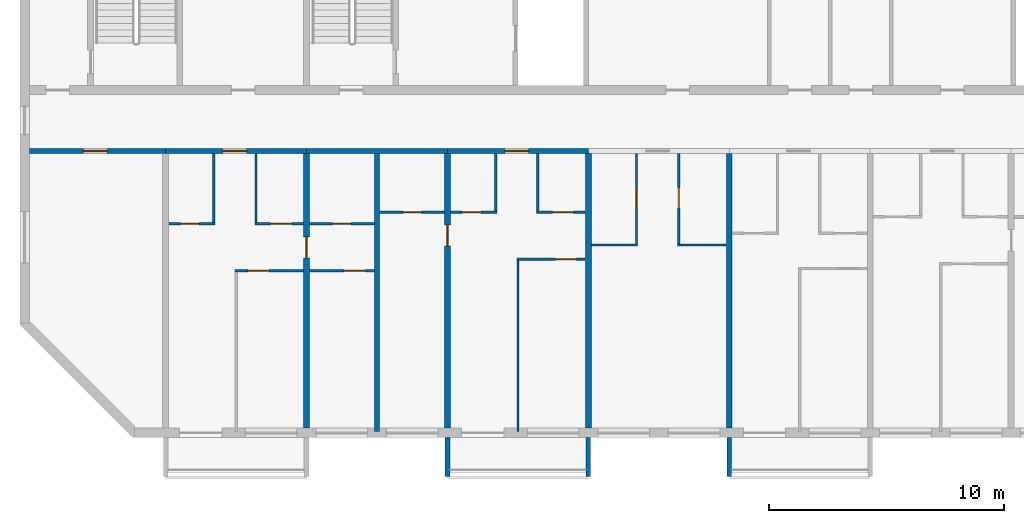
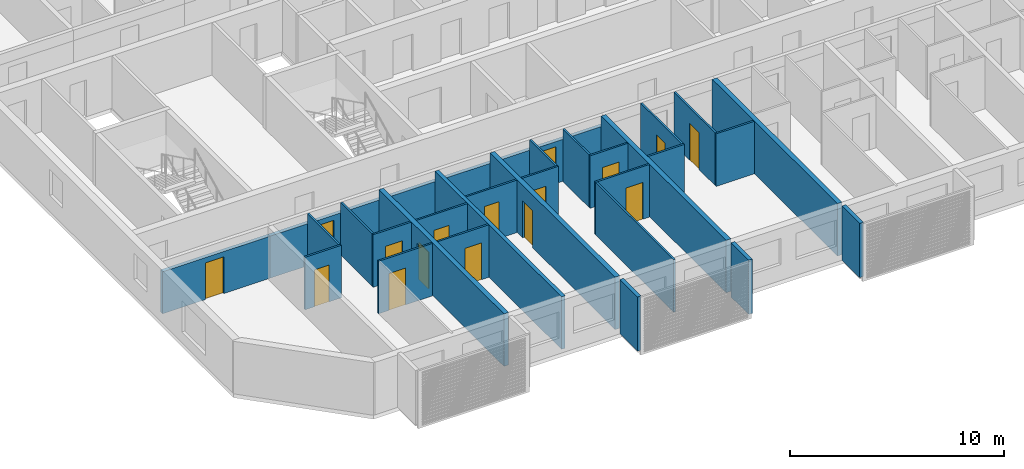
# One storey, part 2 of 27: 30 walls, 16 doors, 16 openings.
"""IFC4 building model written with IfcOpenShell, lengths in metres."""

import ifcopenshell
import ifcopenshell.guid

model = None  # the IFC model being written
_history = None  # IfcOwnerHistory: only IFC2X3 demands one
_inside = {}  # id of a spatial element -> (the spatial element, [elements in it])
_under = {}  # id of a project, library or spatial element -> (it, [spatial elements below it])
_declared = {}  # id of a project -> (the project, [libraries it declares])
_typed = {}  # id of a type object -> (the type object, [elements of that type])
_made_of = {}  # id of a material, layer set ... -> (it, [elements and type objects made of it])


def new_model(schema):
    """Start an empty IFC model of exactly this schema.

    Asked for "IFC4X3", IfcOpenShell would pick the latest addendum, in which some entities
    have other attributes; the version numbers below select the first issue.
    IFC2X3 requires an IfcOwnerHistory on every rooted entity: one is made here for all.
    """
    global model, _history
    if schema == "IFC4X3":
        model = ifcopenshell.file(schema_version=(4, 3, 0, 0))
    else:
        model = ifcopenshell.file(schema=schema)
    _inside.clear()
    _under.clear()
    _declared.clear()
    _typed.clear()
    _made_of.clear()
    _history = None
    if model.schema == "IFC2X3":
        org = make("IfcOrganization", Name="unknown")
        user = make(
            "IfcPersonAndOrganization",
            ThePerson=make("IfcPerson", FamilyName="unknown"),
            TheOrganization=org,
        )
        app = make(
            "IfcApplication",
            ApplicationDeveloper=org,
            Version="unknown",
            ApplicationFullName="unknown",
            ApplicationIdentifier="unknown",
        )
        _history = make(
            "IfcOwnerHistory",
            OwningUser=user,
            OwningApplication=app,
            ChangeAction="ADDED",
            CreationDate=0,
        )
    return model


def make(cls, **values):
    """One entity of the class cls with the attributes given. An attribute that is None is left unset."""
    return model.create_entity(
        cls, **{name: value for name, value in values.items() if value is not None}
    )


def rooted(cls, **values):
    """An entity with a GlobalId (a new one), such as an element, a storey or a relation."""
    return make(cls, GlobalId=ifcopenshell.guid.new(), OwnerHistory=_history, **values)


def si_unit(unit_type, name, prefix=None):
    """IfcSIUnit, for example si_unit("LENGTHUNIT", "METRE", prefix="MILLI")."""
    return make("IfcSIUnit", UnitType=unit_type, Prefix=prefix, Name=name)


def assignment(units):
    """IfcUnitAssignment: the units of a project."""
    return None if units is None else make("IfcUnitAssignment", Units=units)


def point(xyz):
    """IfcCartesianPoint."""
    return None if xyz is None else make("IfcCartesianPoint", Coordinates=xyz)


def direction(xyz):
    """IfcDirection."""
    return None if xyz is None else make("IfcDirection", DirectionRatios=xyz)


def frame(location, z_axis=None, x_axis=None):
    """IfcAxis2Placement3D, a coordinate frame: its origin and axes. An axis left out is left unset."""
    return make(
        "IfcAxis2Placement3D",
        Location=point(location),
        Axis=direction(z_axis),
        RefDirection=direction(x_axis),
    )


def frame_2d(location, x_axis=None):
    """IfcAxis2Placement2D, a coordinate frame in the plane: its origin and x axis."""
    return make(
        "IfcAxis2Placement2D", Location=point(location), RefDirection=direction(x_axis)
    )


def origin():
    """The frame at (0, 0, 0) with its axes left unset."""
    return frame((0.0, 0.0, 0.0))


def place(relative_to, where):
    """IfcLocalPlacement: puts the frame where relative to a parent placement (None: the world)."""
    return make(
        "IfcLocalPlacement", PlacementRelTo=relative_to, RelativePlacement=where
    )


def context(
    kind, dimensions, precision=None, world=None, true_north=None, identifier=None
):
    """IfcGeometricRepresentationContext, for example the 3D "Model" context."""
    return make(
        "IfcGeometricRepresentationContext",
        ContextIdentifier=identifier,
        ContextType=kind,
        CoordinateSpaceDimension=dimensions,
        Precision=precision,
        WorldCoordinateSystem=world,
        TrueNorth=true_north,
    )


def subcontext(parent, identifier, kind, view, scale=None):
    """IfcGeometricRepresentationSubContext, for example "Body" below "Model"."""
    return make(
        "IfcGeometricRepresentationSubContext",
        ContextIdentifier=identifier,
        ContextType=kind,
        ParentContext=parent,
        TargetScale=scale,
        TargetView=view,
    )


def project(units=None, contexts=None):
    """IfcProject with its units and contexts."""
    return rooted(
        "IfcProject",
        Name="project",
        RepresentationContexts=contexts,
        UnitsInContext=assignment(units),
    )


def spatial(cls, under=None, at=None, **own):
    """A site, building, storey or space (cls), placed at a placement, below another one or the project."""
    s = rooted(cls, ObjectPlacement=at, **own)
    if under is not None:
        _under.setdefault(under.id(), (under, []))[1].append(s)
    return s


def polyline(points):
    """IfcPolyline through the points."""
    return make("IfcPolyline", Points=[point(p) for p in points])


def profile(cls, at=None, kind="AREA", **sizes):
    """A parametric profile (cls). Its sizes go by their IFC names, for example OverallWidth=200.0."""
    return make(cls, ProfileType=kind, Position=at, **sizes)


def rectangle(**sizes):
    """IfcRectangleProfileDef."""
    return profile("IfcRectangleProfileDef", **sizes)


def outline(outer, holes=None, kind="AREA"):
    """IfcArbitraryClosedProfileDef: a profile drawn as a closed curve; with holes, ...WithVoids."""
    if holes is None:
        return make("IfcArbitraryClosedProfileDef", ProfileType=kind, OuterCurve=outer)
    return make(
        "IfcArbitraryProfileDefWithVoids",
        ProfileType=kind,
        OuterCurve=outer,
        InnerCurves=holes,
    )


def extrude(swept, where, along, depth):
    """IfcExtrudedAreaSolid: the profile swept, set in the frame where, extruded along a direction by depth."""
    return make(
        "IfcExtrudedAreaSolid",
        SweptArea=swept,
        Position=where,
        ExtrudedDirection=direction(along),
        Depth=depth,
    )


def shape(context_of_items, identifier, shape_type, items):
    """IfcShapeRepresentation: the items that make up one representation, for example the "Body"."""
    return make(
        "IfcShapeRepresentation",
        ContextOfItems=context_of_items,
        RepresentationIdentifier=identifier,
        RepresentationType=shape_type,
        Items=items,
    )


def source(mapping_origin, context_of_items, identifier, shape_type, items):
    """IfcRepresentationMap: a shape defined once, which mapped items show again and again."""
    return make(
        "IfcRepresentationMap",
        MappingOrigin=mapping_origin,
        MappedRepresentation=shape(context_of_items, identifier, shape_type, items),
    )


def transform(
    local_origin,
    x_axis=None,
    y_axis=None,
    z_axis=None,
    scale=None,
    scale2=None,
    scale3=None,
    uniform=True,
):
    """IfcCartesianTransformationOperator3D, or its non-uniform kind. x_axis, y_axis, z_axis: its Axis1, 2, 3."""
    if uniform:
        return make(
            "IfcCartesianTransformationOperator3D",
            Axis1=direction(x_axis),
            Axis2=direction(y_axis),
            LocalOrigin=point(local_origin),
            Scale=scale,
            Axis3=direction(z_axis),
        )
    return make(
        "IfcCartesianTransformationOperator3DnonUniform",
        Axis1=direction(x_axis),
        Axis2=direction(y_axis),
        LocalOrigin=point(local_origin),
        Scale=scale,
        Axis3=direction(z_axis),
        Scale2=scale2,
        Scale3=scale3,
    )


def mapped(mapping_source, mapping_target):
    """IfcMappedItem: shows the shape of a source again, moved by a transform."""
    return make(
        "IfcMappedItem", MappingSource=mapping_source, MappingTarget=mapping_target
    )


def material(Name=None, Category=None):
    """IfcMaterial."""
    return make("IfcMaterial", Name=Name, Category=Category)


def layer(
    of_material, thickness, ventilated=None, Name=None, Category=None, Priority=None
):
    """IfcMaterialLayer: one layer of a wall or slab, of a material (None: an air gap)."""
    return make(
        "IfcMaterialLayer",
        Material=of_material,
        LayerThickness=thickness,
        IsVentilated=ventilated,
        Name=Name,
        Category=Category,
        Priority=Priority,
    )


def layer_set(layers, Name=None):
    """IfcMaterialLayerSet."""
    return make("IfcMaterialLayerSet", MaterialLayers=layers, LayerSetName=Name)


def made_of(thing, what):
    """Note that an element or type object is made of a material, layer set ...; save() writes the relation."""
    if what is not None:
        _made_of.setdefault(what.id(), (what, []))[1].append(thing)
    return thing


def type_object(cls, material=None, **own):
    """A type object (cls), such as IfcWallType, which elements share."""
    return made_of(rooted(cls, **own), material)


def element(
    cls,
    number,
    at=None,
    inside=None,
    cuts=None,
    type_object=None,
    material=None,
    context=None,
    identifier="Body",
    shape_type=None,
    held_by="IfcProductDefinitionShape",
    body=None,
    shapes=None,
    **own,
):
    """One element of the class cls, such as IfcWall. Its Tag is "e" and its number.

    at: its placement. inside: the storey or other place that contains it. cuts: it is an
    opening in that element (IfcRelVoidsElement). A single representation is given by context,
    identifier, shape_type and body (its items); several are given by shapes. held_by: the class
    of the entity that holds the representations. save() writes the other relations.
    """
    e = rooted(cls, Tag="e%d" % number, ObjectPlacement=at, **own)
    if body is not None:
        shapes = [shape(context, identifier, shape_type, body)]
    if shapes is not None:
        e.Representation = make(held_by, Representations=shapes)
    if inside is not None:
        _inside.setdefault(inside.id(), (inside, []))[1].append(e)
    if cuts is not None:
        rooted(
            "IfcRelVoidsElement", RelatingBuildingElement=cuts, RelatedOpeningElement=e
        )
    if type_object is not None:
        _typed.setdefault(type_object.id(), (type_object, []))[1].append(e)
    return made_of(e, material)


def fill(opening, filler):
    """IfcRelFillsElement: the door or window that sits in an opening."""
    return rooted(
        "IfcRelFillsElement",
        RelatingOpeningElement=opening,
        RelatedBuildingElement=filler,
    )


def aggregate(whole, parts):
    """IfcRelAggregates: a whole, such as a stair, and the parts it consists of."""
    return rooted("IfcRelAggregates", RelatingObject=whole, RelatedObjects=parts)


def save(model, path):
    """Write the relations noted so far, then the file.

    IfcRelAggregates (storeys below a building ...), IfcRelContainedInSpatialStructure (elements
    in a storey), IfcRelDefinesByType, IfcRelAssociatesMaterial and IfcRelDeclares: one each for
    every whole, place, type object, material and project.
    """
    for whole, parts in _under.values():
        aggregate(whole, parts)
    for where, things in _inside.values():
        rooted(
            "IfcRelContainedInSpatialStructure",
            RelatedElements=things,
            RelatingStructure=where,
        )
    for kind, things in _typed.values():
        rooted("IfcRelDefinesByType", RelatedObjects=things, RelatingType=kind)
    for what, things in _made_of.values():
        rooted("IfcRelAssociatesMaterial", RelatedObjects=things, RelatingMaterial=what)
    for by, libraries in _declared.values():
        rooted("IfcRelDeclares", RelatingContext=by, RelatedDefinitions=libraries)
    model.write(path)


model = new_model("IFC4")

# Units and contexts
model_context = context("Model", 3, precision=1e-05, world=origin(), true_north=direction((0.0, 1.0)))
body_context = subcontext(model_context, "Body", "Model", "MODEL_VIEW")
ifc_project = project(units=[si_unit("LENGTHUNIT", "METRE"), si_unit("AREAUNIT", "SQUARE_METRE"), si_unit("VOLUMEUNIT", "CUBIC_METRE"), si_unit("PLANEANGLEUNIT", "RADIAN"), si_unit("MASSUNIT", "GRAM", prefix="KILO")], contexts=[model_context])

# Site, building, storey
site_placement = place(None, origin())
site = spatial("IfcSite", under=ifc_project, at=site_placement, CompositionType="ELEMENT")
building_placement = place(site_placement, origin())
building = spatial("IfcBuilding", under=site, at=building_placement, Name="Poui Terraces", CompositionType="ELEMENT")
storey_placement = place(building_placement, frame((0.0, 0.0, 208.199951171875)))
storey = spatial("IfcBuildingStorey", under=building, at=storey_placement, Name="L58", CompositionType="ELEMENT", Elevation=208.199951171875)

# Wall, opening, door
ifc_material_1 = material(Name="Concrete 50 MPa", Category="concrete")
ifc_layer_1 = layer(ifc_material_1, 0.199951171875)
ifc_layer_set_1 = layer_set([ifc_layer_1], Name="Concrete 50 MPa")
wall_type_1 = type_object("IfcWallType", Name="CORRIDOR WALL 200 50MPa", PredefinedType="SHEAR", material=ifc_layer_set_1)
wall_1_placement = place(storey_placement, frame((18.199951171875, 12.0, 0.0), z_axis=(0.0, 0.0, 1.0), x_axis=(1.0, 0.0, 0.0)))
wall_1 = element("IfcWall", 1, at=wall_1_placement, inside=storey, type_object=wall_type_1, Name="CORRIDOR WALL LINE B BAY 1", PredefinedType="SHEAR", context=body_context, shape_type="SweptSolid", body=[
    extrude(rectangle(XDim=5.800048828125, YDim=0.199951171875, at=frame_2d((2.89990234375, 0.0))), origin(), (0.0, 0.0, 1.0), 2.400146484375),
])
opening_1_placement = place(wall_1_placement, frame((2.300048828125, 0.0, 0.0)))
opening_1 = element("IfcOpeningElement", 2, at=opening_1_placement, cuts=wall_1, Name="Opening D100", PredefinedType="OPENING", context=body_context, shape_type="SweptSolid", body=[
    extrude(rectangle(XDim=1.0, YDim=2.10009765625, at=frame_2d((0.5, 1.050048828125))), frame((0.0, 0.10986328125, 0.0), z_axis=(0.0, -1.0, 0.0), x_axis=(1.0, 0.0, 0.0)), (0.0, 0.0, 1.0), 0.219970703125),
])
ifc_material_2 = material(Name="Solid core timber door", Category="wood")
door_type_1 = type_object("IfcDoorType", Name="ACCESSIBLE INTERNAL DOOR 1000 X 2100", OperationType="NOTDEFINED", PredefinedType="DOOR", material=ifc_material_2)
door_1_placement = place(opening_1_placement, frame((1.0, 0.0, 0.0), z_axis=(0.0, 0.0, 1.0), x_axis=(-1.0, 0.0, 0.0)))
door_1 = element("IfcDoor", 3, at=door_1_placement, inside=storey, type_object=door_type_1, Name="ACCESSIBLE INTERNAL DOOR 066", OperationType="SINGLE_SWING_RIGHT", OverallHeight=2.10009765625, OverallWidth=1.0, PredefinedType="DOOR", context=body_context, shape_type="SweptSolid", body=[
    extrude(rectangle(XDim=1.0, YDim=2.10009765625, at=frame_2d((0.5, 1.050048828125))), frame((0.0, 0.02490234375, 0.0), z_axis=(0.0, -1.0, 0.0), x_axis=(1.0, 0.0, 0.0)), (0.0, 0.0, 1.0), 0.050048828125),
])
fill(opening_1, door_1)

wall_2_placement = place(storey_placement, frame((24.0, 12.0, 0.0), z_axis=(0.0, 0.0, 1.0), x_axis=(1.0, 0.0, 0.0)))
wall_2 = element("IfcWall", 4, at=wall_2_placement, inside=storey, type_object=wall_type_1, Name="CORRIDOR WALL LINE B BAY 2", PredefinedType="SHEAR", context=body_context, shape_type="SweptSolid", body=[
    extrude(rectangle(XDim=6.0, YDim=0.199951171875, at=frame_2d((3.0, 0.0))), origin(), (0.0, 0.0, 1.0), 2.400146484375),
])
opening_2_placement = place(wall_2_placement, frame((2.449951171875, 0.0, 0.0)))
opening_2 = element("IfcOpeningElement", 5, at=opening_2_placement, cuts=wall_2, Name="Opening FD30S", PredefinedType="OPENING", context=body_context, shape_type="SweptSolid", body=[
    extrude(rectangle(XDim=1.0, YDim=2.10009765625, at=frame_2d((0.5, 1.050048828125))), frame((0.0, 0.10986328125, 0.0), z_axis=(0.0, -1.0, 0.0), x_axis=(1.0, 0.0, 0.0)), (0.0, 0.0, 1.0), 0.219970703125),
])
ifc_material_3 = material(Name="Steel fire door", Category="steel")
door_type_2 = type_object("IfcDoorType", Name="FLAT ENTRANCE DOOR 1000 X 2100", OperationType="NOTDEFINED", PredefinedType="DOOR", material=ifc_material_3)
door_2_placement = place(opening_2_placement, frame((1.0, 0.0, 0.0), z_axis=(0.0, 0.0, 1.0), x_axis=(-1.0, 0.0, 0.0)))
door_2 = element("IfcDoor", 6, at=door_2_placement, inside=storey, type_object=door_type_2, Name="FLAT ENTRANCE DOOR 070", OperationType="SINGLE_SWING_RIGHT", OverallHeight=2.10009765625, OverallWidth=1.0, PredefinedType="DOOR", context=body_context, shape_type="SweptSolid", body=[
    extrude(rectangle(XDim=1.0, YDim=2.10009765625, at=frame_2d((0.5, 1.050048828125))), frame((0.0, 0.02490234375, 0.0), z_axis=(0.0, -1.0, 0.0), x_axis=(1.0, 0.0, 0.0)), (0.0, 0.0, 1.0), 0.050048828125),
])
fill(opening_2, door_2)

# Wall
wall_3_placement = place(storey_placement, frame((30.0, 12.0, 0.0), z_axis=(0.0, 0.0, 1.0), x_axis=(1.0, 0.0, 0.0)))
element("IfcWall", 7, at=wall_3_placement, inside=storey, type_object=wall_type_1, Name="CORRIDOR WALL LINE B BAY 3", PredefinedType="SHEAR", context=body_context, shape_type="SweptSolid", body=[
    extrude(rectangle(XDim=6.0, YDim=0.199951171875, at=frame_2d((3.0, 0.0))), origin(), (0.0, 0.0, 1.0), 2.400146484375),
])

# Wall, opening, door
wall_4_placement = place(storey_placement, frame((36.0, 12.0, 0.0), z_axis=(0.0, 0.0, 1.0), x_axis=(1.0, 0.0, 0.0)))
wall_4 = element("IfcWall", 8, at=wall_4_placement, inside=storey, type_object=wall_type_1, Name="CORRIDOR WALL LINE B BAY 4", PredefinedType="SHEAR", context=body_context, shape_type="SweptSolid", body=[
    extrude(rectangle(XDim=6.0, YDim=0.199951171875, at=frame_2d((3.0, 0.0))), origin(), (0.0, 0.0, 1.0), 2.400146484375),
])
opening_3_placement = place(wall_4_placement, frame((2.449951171875, 0.0, 0.0)))
opening_3 = element("IfcOpeningElement", 9, at=opening_3_placement, cuts=wall_4, Name="Opening FD30S", PredefinedType="OPENING", context=body_context, shape_type="SweptSolid", body=[
    extrude(rectangle(XDim=1.0, YDim=2.10009765625, at=frame_2d((0.5, 1.050048828125))), frame((0.0, 0.10986328125, 0.0), z_axis=(0.0, -1.0, 0.0), x_axis=(1.0, 0.0, 0.0)), (0.0, 0.0, 1.0), 0.219970703125),
])
door_3_placement = place(opening_3_placement, frame((1.0, 0.0, 0.0), z_axis=(0.0, 0.0, 1.0), x_axis=(-1.0, 0.0, 0.0)))
door_3 = element("IfcDoor", 10, at=door_3_placement, inside=storey, type_object=door_type_2, Name="FLAT ENTRANCE DOOR 077", OperationType="SINGLE_SWING_RIGHT", OverallHeight=2.10009765625, OverallWidth=1.0, PredefinedType="DOOR", context=body_context, shape_type="SweptSolid", body=[
    extrude(rectangle(XDim=1.0, YDim=2.10009765625, at=frame_2d((0.5, 1.050048828125))), frame((0.0, 0.02490234375, 0.0), z_axis=(0.0, -1.0, 0.0), x_axis=(1.0, 0.0, 0.0)), (0.0, 0.0, 1.0), 0.050048828125),
])
fill(opening_3, door_3)

ifc_layer_2 = layer(ifc_material_1, 0.25)
ifc_layer_set_2 = layer_set([ifc_layer_2], Name="Concrete 50 MPa")
wall_type_2 = type_object("IfcWallType", Name="CROSS WALL 250 50MPa", PredefinedType="SHEAR", material=ifc_layer_set_2)
wall_5_placement = place(storey_placement, frame((30.0, 0.199951171875, 0.0), z_axis=(0.0, 0.0, 1.0), x_axis=(0.0, 1.0, 0.0)))
wall_5 = element("IfcWall", 11, at=wall_5_placement, inside=storey, type_object=wall_type_2, Name="CROSS WALL LINE 6 SOUTH", PredefinedType="SHEAR", context=body_context, shape_type="SweptSolid", body=[
    extrude(rectangle(XDim=11.699951171875, YDim=0.25, at=frame_2d((5.85009765625, 0.0))), origin(), (0.0, 0.0, 1.0), 3.0),
])
opening_4_placement = place(wall_5_placement, frame((7.25, 0.0, 0.0)))
opening_4 = element("IfcOpeningElement", 12, at=opening_4_placement, cuts=wall_5, Name="Opening D90", PredefinedType="OPENING", context=body_context, shape_type="SweptSolid", body=[
    extrude(rectangle(XDim=0.89990234375, YDim=2.10009765625, at=frame_2d((0.449951171875, 1.050048828125))), frame((0.0, 0.135009765625, 0.0), z_axis=(0.0, -1.0, 0.0), x_axis=(1.0, 0.0, 0.0)), (0.0, 0.0, 1.0), 0.27001953125),
])
door_type_3 = type_object("IfcDoorType", Name="INTERNAL DOOR 900 X 2100", OperationType="NOTDEFINED", PredefinedType="DOOR", material=ifc_material_2)
door_4_placement = place(opening_4_placement, origin())
door_4 = element("IfcDoor", 13, at=door_4_placement, inside=storey, type_object=door_type_3, Name="INTERNAL DOOR 073", OperationType="SINGLE_SWING_RIGHT", OverallHeight=2.10009765625, OverallWidth=0.89990234375, PredefinedType="DOOR", context=body_context, shape_type="SweptSolid", body=[
    extrude(rectangle(XDim=0.89990234375, YDim=2.10009765625, at=frame_2d((0.449951171875, 1.050048828125))), frame((0.0, 0.02490234375, 0.0), z_axis=(0.0, -1.0, 0.0), x_axis=(1.0, 0.0, 0.0)), (0.0, 0.0, 1.0), 0.050048828125),
])
fill(opening_4, door_4)

wall_6_placement = place(storey_placement, frame((36.0, 0.199951171875, 0.0), z_axis=(0.0, 0.0, 1.0), x_axis=(0.0, 1.0, 0.0)))
wall_6 = element("IfcWall", 14, at=wall_6_placement, inside=storey, type_object=wall_type_2, Name="CROSS WALL LINE 7 SOUTH", PredefinedType="SHEAR", context=body_context, shape_type="SweptSolid", body=[
    extrude(rectangle(XDim=11.699951171875, YDim=0.25, at=frame_2d((5.85009765625, 0.0))), origin(), (0.0, 0.0, 1.0), 3.0),
])
opening_5_placement = place(wall_6_placement, frame((7.75, 0.0, 0.0)))
opening_5 = element("IfcOpeningElement", 15, at=opening_5_placement, cuts=wall_6, Name="Opening D90", PredefinedType="OPENING", context=body_context, shape_type="SweptSolid", body=[
    extrude(rectangle(XDim=0.89990234375, YDim=2.10009765625, at=frame_2d((0.449951171875, 1.050048828125))), frame((0.0, 0.135009765625, 0.0), z_axis=(0.0, -1.0, 0.0), x_axis=(1.0, 0.0, 0.0)), (0.0, 0.0, 1.0), 0.27001953125),
])
door_5_placement = place(opening_5_placement, origin())
door_5 = element("IfcDoor", 16, at=door_5_placement, inside=storey, type_object=door_type_3, Name="INTERNAL DOOR 075", OperationType="SINGLE_SWING_RIGHT", OverallHeight=2.10009765625, OverallWidth=0.89990234375, PredefinedType="DOOR", context=body_context, shape_type="SweptSolid", body=[
    extrude(rectangle(XDim=0.89990234375, YDim=2.10009765625, at=frame_2d((0.449951171875, 1.050048828125))), frame((0.0, 0.02490234375, 0.0), z_axis=(0.0, -1.0, 0.0), x_axis=(1.0, 0.0, 0.0)), (0.0, 0.0, 1.0), 0.050048828125),
])
fill(opening_5, door_5)

# Walls
for number, where, z_axis, x_axis, name in (
    (17, (42.0, 0.199951171875, 0.0), (0.0, 0.0, 1.0), (0.0, 1.0, 0.0), "CROSS WALL LINE 8 SOUTH"),
    (18, (48.0, 0.199951171875, 0.0), (0.0, 0.0, 1.0), (0.0, 1.0, 0.0), "CROSS WALL LINE 9 SOUTH"),
):
    element("IfcWall", number, at=place(storey_placement, frame(where, z_axis=z_axis, x_axis=x_axis)), inside=storey, type_object=wall_type_2, Name=name, PredefinedType="SHEAR", context=body_context, shape_type="SweptSolid", body=[
        extrude(rectangle(XDim=11.699951171875, YDim=0.25, at=frame_2d((5.85009765625, 0.0))), origin(), (0.0, 0.0, 1.0), 3.0),
    ])

# Wall, opening, door
ifc_material_4 = material(Name="Plasterboard partition")
ifc_layer_3 = layer(ifc_material_4, 0.10009765625)
ifc_layer_set_3 = layer_set([ifc_layer_3], Name="Plasterboard partition")
wall_type_3 = type_object("IfcWallType", Name="FLAT PARTITION 100", PredefinedType="PARTITIONING", material=ifc_layer_set_3)
wall_7_placement = place(storey_placement, frame((26.949951171875, 6.89990234375, 0.0), z_axis=(0.0, 0.0, 1.0), x_axis=(1.0, 0.0, 0.0)))
wall_7 = element("IfcWall", 19, at=wall_7_placement, inside=storey, type_object=wall_type_3, Name="FLAT PARTITION 100", PredefinedType="PARTITIONING", context=body_context, shape_type="SweptSolid", body=[
    extrude(rectangle(XDim=2.9150390625, YDim=0.10009765625, at=frame_2d((1.45751953125, 0.0))), origin(), (0.0, 0.0, 1.0), 3.0),
])
opening_6_placement = place(wall_7_placement, frame((0.550048828125, 0.0, 0.0)))
opening_6 = element("IfcOpeningElement", 20, at=opening_6_placement, cuts=wall_7, Name="Opening D90", PredefinedType="OPENING", context=body_context, shape_type="SweptSolid", body=[
    extrude(rectangle(XDim=0.89990234375, YDim=2.10009765625, at=frame_2d((0.449951171875, 1.050048828125))), frame((0.0, 0.06005859375, 0.0), z_axis=(0.0, -1.0, 0.0), x_axis=(1.0, 0.0, 0.0)), (0.0, 0.0, 1.0), 0.1201171875),
])
door_6_placement = place(opening_6_placement, origin())
door_6 = element("IfcDoor", 21, at=door_6_placement, inside=storey, type_object=door_type_3, Name="INTERNAL DOOR 071", OperationType="SINGLE_SWING_RIGHT", OverallHeight=2.10009765625, OverallWidth=0.89990234375, PredefinedType="DOOR", context=body_context, shape_type="SweptSolid", body=[
    extrude(rectangle(XDim=0.89990234375, YDim=2.10009765625, at=frame_2d((0.449951171875, 1.050048828125))), frame((0.0, 0.02490234375, 0.0), z_axis=(0.0, -1.0, 0.0), x_axis=(1.0, 0.0, 0.0)), (0.0, 0.0, 1.0), 0.050048828125),
])
fill(opening_6, door_6)

wall_8_placement = place(storey_placement, frame((30.135009765625, 6.89990234375, 0.0), z_axis=(0.0, 0.0, 1.0), x_axis=(1.0, 0.0, 0.0)))
wall_8 = element("IfcWall", 22, at=wall_8_placement, inside=storey, type_object=wall_type_3, Name="FLAT PARTITION 100", PredefinedType="PARTITIONING", context=body_context, shape_type="SweptSolid", body=[
    extrude(rectangle(XDim=2.764892578125, YDim=0.10009765625, at=frame_2d((1.38232421875, 0.0))), origin(), (0.0, 0.0, 1.0), 3.0),
])
opening_7_placement = place(wall_8_placement, frame((1.465087890625, 0.0, 0.0)))
opening_7 = element("IfcOpeningElement", 23, at=opening_7_placement, cuts=wall_8, Name="Opening D90", PredefinedType="OPENING", context=body_context, shape_type="SweptSolid", body=[
    extrude(rectangle(XDim=0.89990234375, YDim=2.10009765625, at=frame_2d((0.449951171875, 1.050048828125))), frame((0.0, 0.06005859375, 0.0), z_axis=(0.0, -1.0, 0.0), x_axis=(1.0, 0.0, 0.0)), (0.0, 0.0, 1.0), 0.1201171875),
])
door_7_placement = place(opening_7_placement, frame((0.89990234375, 0.0, 0.0), z_axis=(0.0, 0.0, 1.0), x_axis=(-1.0, 0.0, 0.0)))
door_7 = element("IfcDoor", 24, at=door_7_placement, inside=storey, type_object=door_type_3, Name="INTERNAL DOOR 068", OperationType="SINGLE_SWING_LEFT", OverallHeight=2.10009765625, OverallWidth=0.89990234375, PredefinedType="DOOR", context=body_context, shape_type="SweptSolid", body=[
    extrude(rectangle(XDim=0.89990234375, YDim=2.10009765625, at=frame_2d((0.449951171875, 1.050048828125))), frame((0.0, 0.02490234375, 0.0), z_axis=(0.0, -1.0, 0.0), x_axis=(1.0, 0.0, 0.0)), (0.0, 0.0, 1.0), 0.050048828125),
])
fill(opening_7, door_7)

wall_9_placement = place(storey_placement, frame((38.949951171875, 7.39990234375, 0.0), z_axis=(0.0, 0.0, 1.0), x_axis=(1.0, 0.0, 0.0)))
wall_9 = element("IfcWall", 25, at=wall_9_placement, inside=storey, type_object=wall_type_3, Name="FLAT PARTITION 100", PredefinedType="PARTITIONING", context=body_context, shape_type="SweptSolid", body=[
    extrude(rectangle(XDim=2.9150390625, YDim=0.10009765625, at=frame_2d((1.45751953125, 0.0))), origin(), (0.0, 0.0, 1.0), 3.0),
])
opening_8_placement = place(wall_9_placement, frame((1.64990234375, 0.0, 0.0)))
opening_8 = element("IfcOpeningElement", 26, at=opening_8_placement, cuts=wall_9, Name="Opening D90", PredefinedType="OPENING", context=body_context, shape_type="SweptSolid", body=[
    extrude(rectangle(XDim=0.89990234375, YDim=2.10009765625, at=frame_2d((0.449951171875, 1.050048828125))), frame((0.0, 0.06005859375, 0.0), z_axis=(0.0, -1.0, 0.0), x_axis=(1.0, 0.0, 0.0)), (0.0, 0.0, 1.0), 0.1201171875),
])
door_8_placement = place(opening_8_placement, origin())
door_8 = element("IfcDoor", 27, at=door_8_placement, inside=storey, type_object=door_type_3, Name="INTERNAL DOOR 079", OperationType="SINGLE_SWING_LEFT", OverallHeight=2.10009765625, OverallWidth=0.89990234375, PredefinedType="DOOR", context=body_context, shape_type="SweptSolid", body=[
    extrude(rectangle(XDim=0.89990234375, YDim=2.10009765625, at=frame_2d((0.449951171875, 1.050048828125))), frame((0.0, 0.02490234375, 0.0), z_axis=(0.0, -1.0, 0.0), x_axis=(1.0, 0.0, 0.0)), (0.0, 0.0, 1.0), 0.050048828125),
])
fill(opening_8, door_8)

# Walls
wall_10_placement = place(storey_placement, frame((42.135009765625, 8.0, 0.0), z_axis=(0.0, 0.0, 1.0), x_axis=(1.0, 0.0, 0.0)))
element("IfcWall", 28, at=wall_10_placement, inside=storey, type_object=wall_type_3, Name="FLAT PARTITION 100", PredefinedType="PARTITIONING", context=body_context, shape_type="SweptSolid", body=[
    extrude(rectangle(XDim=1.965087890625, YDim=0.10009765625, at=frame_2d((0.982421875, 0.0))), origin(), (0.0, 0.0, 1.0), 3.0),
])
wall_11_placement = place(storey_placement, frame((45.800048828125, 8.0, 0.0), z_axis=(0.0, 0.0, 1.0), x_axis=(1.0, 0.0, 0.0)))
element("IfcWall", 29, at=wall_11_placement, inside=storey, type_object=wall_type_3, Name="FLAT PARTITION 100", PredefinedType="PARTITIONING", context=body_context, shape_type="SweptSolid", body=[
    extrude(rectangle(XDim=2.06494140625, YDim=0.10009765625, at=frame_2d((1.032470703125, 0.0))), origin(), (0.0, 0.0, 1.0), 3.0),
])

# Wall, opening, door
wall_12_placement = place(storey_placement, frame((24.135009765625, 8.89990234375, 0.0), z_axis=(0.0, 0.0, 1.0), x_axis=(1.0, 0.0, 0.0)))
wall_12 = element("IfcWall", 30, at=wall_12_placement, inside=storey, type_object=wall_type_3, Name="FLAT PARTITION 100", PredefinedType="PARTITIONING", context=body_context, shape_type="SweptSolid", body=[
    extrude(rectangle(XDim=1.965087890625, YDim=0.10009765625, at=frame_2d((0.982421875, 0.0))), origin(), (0.0, 0.0, 1.0), 3.0),
])
opening_9_placement = place(wall_12_placement, frame((0.489990234375, 0.0, 0.0)))
opening_9 = element("IfcOpeningElement", 31, at=opening_9_placement, cuts=wall_12, Name="Opening D80", PredefinedType="OPENING", context=body_context, shape_type="SweptSolid", body=[
    extrude(rectangle(XDim=0.800048828125, YDim=2.10009765625, at=frame_2d((0.39990234375, 1.050048828125))), frame((0.0, 0.06005859375, 0.0), z_axis=(0.0, -1.0, 0.0), x_axis=(1.0, 0.0, 0.0)), (0.0, 0.0, 1.0), 0.1201171875),
])
door_type_4 = type_object("IfcDoorType", Name="BATHROOM, LAUNDRY AND STORE DOOR 800 X 2100", OperationType="NOTDEFINED", PredefinedType="DOOR", material=ifc_material_2)
door_9_placement = place(opening_9_placement, origin())
door_9 = element("IfcDoor", 32, at=door_9_placement, inside=storey, type_object=door_type_4, Name="BATHROOM, LAUNDRY AND STORE DOOR 069", OperationType="SINGLE_SWING_RIGHT", OverallHeight=2.10009765625, OverallWidth=0.800048828125, PredefinedType="DOOR", context=body_context, shape_type="SweptSolid", body=[
    extrude(rectangle(XDim=0.800048828125, YDim=2.10009765625, at=frame_2d((0.39990234375, 1.050048828125))), frame((0.0, 0.02490234375, 0.0), z_axis=(0.0, -1.0, 0.0), x_axis=(1.0, 0.0, 0.0)), (0.0, 0.0, 1.0), 0.050048828125),
])
fill(opening_9, door_9)

wall_13_placement = place(storey_placement, frame((27.800048828125, 8.89990234375, 0.0), z_axis=(0.0, 0.0, 1.0), x_axis=(1.0, 0.0, 0.0)))
wall_13 = element("IfcWall", 33, at=wall_13_placement, inside=storey, type_object=wall_type_3, Name="FLAT PARTITION 100", PredefinedType="PARTITIONING", context=body_context, shape_type="SweptSolid", body=[
    extrude(rectangle(XDim=2.06494140625, YDim=0.10009765625, at=frame_2d((1.032470703125, 0.0))), origin(), (0.0, 0.0, 1.0), 3.0),
])
opening_10_placement = place(wall_13_placement, frame((0.675048828125, 0.0, 0.0)))
opening_10 = element("IfcOpeningElement", 34, at=opening_10_placement, cuts=wall_13, Name="Opening D90", PredefinedType="OPENING", context=body_context, shape_type="SweptSolid", body=[
    extrude(rectangle(XDim=0.89990234375, YDim=2.10009765625, at=frame_2d((0.449951171875, 1.050048828125))), frame((0.0, 0.06005859375, 0.0), z_axis=(0.0, -1.0, 0.0), x_axis=(1.0, 0.0, 0.0)), (0.0, 0.0, 1.0), 0.1201171875),
])
door_10_placement = place(opening_10_placement, origin())
door_10 = element("IfcDoor", 35, at=door_10_placement, inside=storey, type_object=door_type_3, Name="INTERNAL DOOR 072", OperationType="SINGLE_SWING_LEFT", OverallHeight=2.10009765625, OverallWidth=0.89990234375, PredefinedType="DOOR", context=body_context, shape_type="SweptSolid", body=[
    extrude(rectangle(XDim=0.89990234375, YDim=2.10009765625, at=frame_2d((0.449951171875, 1.050048828125))), frame((0.0, 0.02490234375, 0.0), z_axis=(0.0, -1.0, 0.0), x_axis=(1.0, 0.0, 0.0)), (0.0, 0.0, 1.0), 0.050048828125),
])
fill(opening_10, door_10)

wall_14_placement = place(storey_placement, frame((30.135009765625, 8.89990234375, 0.0), z_axis=(0.0, 0.0, 1.0), x_axis=(1.0, 0.0, 0.0)))
wall_14 = element("IfcWall", 36, at=wall_14_placement, inside=storey, type_object=wall_type_3, Name="FLAT PARTITION 100", PredefinedType="PARTITIONING", context=body_context, shape_type="SweptSolid", body=[
    extrude(rectangle(XDim=2.764892578125, YDim=0.10009765625, at=frame_2d((1.38232421875, 0.0))), origin(), (0.0, 0.0, 1.0), 3.0),
])
opening_11_placement = place(wall_14_placement, frame((0.965087890625, 0.0, 0.0)))
opening_11 = element("IfcOpeningElement", 37, at=opening_11_placement, cuts=wall_14, Name="Opening D80", PredefinedType="OPENING", context=body_context, shape_type="SweptSolid", body=[
    extrude(rectangle(XDim=0.800048828125, YDim=2.10009765625, at=frame_2d((0.39990234375, 1.050048828125))), frame((0.0, 0.06005859375, 0.0), z_axis=(0.0, -1.0, 0.0), x_axis=(1.0, 0.0, 0.0)), (0.0, 0.0, 1.0), 0.1201171875),
])
door_11_placement = place(opening_11_placement, origin())
door_11 = element("IfcDoor", 38, at=door_11_placement, inside=storey, type_object=door_type_4, Name="BATHROOM, LAUNDRY AND STORE DOOR 067", OperationType="SINGLE_SWING_LEFT", OverallHeight=2.10009765625, OverallWidth=0.800048828125, PredefinedType="DOOR", context=body_context, shape_type="SweptSolid", body=[
    extrude(rectangle(XDim=0.800048828125, YDim=2.10009765625, at=frame_2d((0.39990234375, 1.050048828125))), frame((0.0, 0.02490234375, 0.0), z_axis=(0.0, -1.0, 0.0), x_axis=(1.0, 0.0, 0.0)), (0.0, 0.0, 1.0), 0.050048828125),
])
fill(opening_11, door_11)

wall_15_placement = place(storey_placement, frame((33.10009765625, 9.39990234375, 0.0), z_axis=(0.0, 0.0, 1.0), x_axis=(1.0, 0.0, 0.0)))
wall_15 = element("IfcWall", 39, at=wall_15_placement, inside=storey, type_object=wall_type_3, Name="FLAT PARTITION 100", PredefinedType="PARTITIONING", context=body_context, shape_type="SweptSolid", body=[
    extrude(rectangle(XDim=2.764892578125, YDim=0.10009765625, at=frame_2d((1.38232421875, 0.0))), origin(), (0.0, 0.0, 1.0), 3.0),
])
opening_12_placement = place(wall_15_placement, frame((1.0, 0.0, 0.0)))
opening_12 = element("IfcOpeningElement", 40, at=opening_12_placement, cuts=wall_15, Name="Opening D80", PredefinedType="OPENING", context=body_context, shape_type="SweptSolid", body=[
    extrude(rectangle(XDim=0.800048828125, YDim=2.10009765625, at=frame_2d((0.39990234375, 1.050048828125))), frame((0.0, 0.06005859375, 0.0), z_axis=(0.0, -1.0, 0.0), x_axis=(1.0, 0.0, 0.0)), (0.0, 0.0, 1.0), 0.1201171875),
])
door_12_placement = place(opening_12_placement, origin())
door_12 = element("IfcDoor", 41, at=door_12_placement, inside=storey, type_object=door_type_4, Name="BATHROOM, LAUNDRY AND STORE DOOR 074", OperationType="SINGLE_SWING_LEFT", OverallHeight=2.10009765625, OverallWidth=0.800048828125, PredefinedType="DOOR", context=body_context, shape_type="SweptSolid", body=[
    extrude(rectangle(XDim=0.800048828125, YDim=2.10009765625, at=frame_2d((0.39990234375, 1.050048828125))), frame((0.0, 0.02490234375, 0.0), z_axis=(0.0, -1.0, 0.0), x_axis=(1.0, 0.0, 0.0)), (0.0, 0.0, 1.0), 0.050048828125),
])
fill(opening_12, door_12)

wall_16_placement = place(storey_placement, frame((36.135009765625, 9.39990234375, 0.0), z_axis=(0.0, 0.0, 1.0), x_axis=(1.0, 0.0, 0.0)))
wall_16 = element("IfcWall", 42, at=wall_16_placement, inside=storey, type_object=wall_type_3, Name="FLAT PARTITION 100", PredefinedType="PARTITIONING", context=body_context, shape_type="SweptSolid", body=[
    extrude(rectangle(XDim=1.965087890625, YDim=0.10009765625, at=frame_2d((0.982421875, 0.0))), origin(), (0.0, 0.0, 1.0), 3.0),
])
opening_13_placement = place(wall_16_placement, frame((0.489990234375, 0.0, 0.0)))
opening_13 = element("IfcOpeningElement", 43, at=opening_13_placement, cuts=wall_16, Name="Opening D80", PredefinedType="OPENING", context=body_context, shape_type="SweptSolid", body=[
    extrude(rectangle(XDim=0.800048828125, YDim=2.10009765625, at=frame_2d((0.39990234375, 1.050048828125))), frame((0.0, 0.06005859375, 0.0), z_axis=(0.0, -1.0, 0.0), x_axis=(1.0, 0.0, 0.0)), (0.0, 0.0, 1.0), 0.1201171875),
])
door_13_placement = place(opening_13_placement, origin())
door_13 = element("IfcDoor", 44, at=door_13_placement, inside=storey, type_object=door_type_4, Name="BATHROOM, LAUNDRY AND STORE DOOR 076", OperationType="SINGLE_SWING_LEFT", OverallHeight=2.10009765625, OverallWidth=0.800048828125, PredefinedType="DOOR", context=body_context, shape_type="SweptSolid", body=[
    extrude(rectangle(XDim=0.800048828125, YDim=2.10009765625, at=frame_2d((0.39990234375, 1.050048828125))), frame((0.0, 0.02490234375, 0.0), z_axis=(0.0, -1.0, 0.0), x_axis=(1.0, 0.0, 0.0)), (0.0, 0.0, 1.0), 0.050048828125),
])
fill(opening_13, door_13)

wall_17_placement = place(storey_placement, frame((39.800048828125, 9.39990234375, 0.0), z_axis=(0.0, 0.0, 1.0), x_axis=(1.0, 0.0, 0.0)))
wall_17 = element("IfcWall", 45, at=wall_17_placement, inside=storey, type_object=wall_type_3, Name="FLAT PARTITION 100", PredefinedType="PARTITIONING", context=body_context, shape_type="SweptSolid", body=[
    extrude(rectangle(XDim=2.06494140625, YDim=0.10009765625, at=frame_2d((1.032470703125, 0.0))), origin(), (0.0, 0.0, 1.0), 3.0),
])
opening_14_placement = place(wall_17_placement, frame((0.675048828125, 0.0, 0.0)))
opening_14 = element("IfcOpeningElement", 46, at=opening_14_placement, cuts=wall_17, Name="Opening D90", PredefinedType="OPENING", context=body_context, shape_type="SweptSolid", body=[
    extrude(rectangle(XDim=0.89990234375, YDim=2.10009765625, at=frame_2d((0.449951171875, 1.050048828125))), frame((0.0, 0.06005859375, 0.0), z_axis=(0.0, -1.0, 0.0), x_axis=(1.0, 0.0, 0.0)), (0.0, 0.0, 1.0), 0.1201171875),
])
door_14_placement = place(opening_14_placement, origin())
door_14 = element("IfcDoor", 47, at=door_14_placement, inside=storey, type_object=door_type_3, Name="INTERNAL DOOR 078", OperationType="SINGLE_SWING_RIGHT", OverallHeight=2.10009765625, OverallWidth=0.89990234375, PredefinedType="DOOR", context=body_context, shape_type="SweptSolid", body=[
    extrude(rectangle(XDim=0.89990234375, YDim=2.10009765625, at=frame_2d((0.449951171875, 1.050048828125))), frame((0.0, 0.02490234375, 0.0), z_axis=(0.0, -1.0, 0.0), x_axis=(1.0, 0.0, 0.0)), (0.0, 0.0, 1.0), 0.050048828125),
])
fill(opening_14, door_14)

# Walls
for number, where, z_axis, x_axis, name in (
    (48, (26.050048828125, 8.949951171875, 0.0), (0.0, 0.0, 1.0), (0.0, 1.0, 0.0), "FLAT PARTITION 100"),
    (49, (27.85009765625, 8.949951171875, 0.0), (0.0, 0.0, 1.0), (0.0, 1.0, 0.0), "FLAT PARTITION 100"),
):
    element("IfcWall", number, at=place(storey_placement, frame(where, z_axis=z_axis, x_axis=x_axis)), inside=storey, type_object=wall_type_3, Name=name, PredefinedType="PARTITIONING", context=body_context, shape_type="SweptSolid", body=[
        extrude(rectangle(XDim=2.93994140625, YDim=0.10009765625, at=frame_2d((1.469970703125, 0.0))), origin(), (0.0, 0.0, 1.0), 3.0),
    ])
wall_18_placement = place(storey_placement, frame((38.050048828125, 9.449951171875, 0.0), z_axis=(0.0, 0.0, 1.0), x_axis=(0.0, 1.0, 0.0)))
element("IfcWall", 50, at=wall_18_placement, inside=storey, type_object=wall_type_3, Name="FLAT PARTITION 100", PredefinedType="PARTITIONING", context=body_context, shape_type="SweptSolid", body=[
    extrude(rectangle(XDim=2.43994140625, YDim=0.10009765625, at=frame_2d((1.219970703125, 0.0))), origin(), (0.0, 0.0, 1.0), 3.0),
])
wall_19_placement = place(storey_placement, frame((39.0, 0.06005859375, 0.0), z_axis=(0.0, 0.0, 1.0), x_axis=(0.0, 1.0, 0.0)))
element("IfcWall", 51, at=wall_19_placement, inside=storey, type_object=wall_type_3, Name="FLAT PARTITION 100", PredefinedType="PARTITIONING", context=body_context, shape_type="SweptSolid", body=[
    extrude(rectangle(XDim=7.2900390625, YDim=0.10009765625, at=frame_2d((3.64501953125, 0.0))), origin(), (0.0, 0.0, 1.0), 3.0),
])
wall_20_placement = place(storey_placement, frame((39.85009765625, 9.449951171875, 0.0), z_axis=(0.0, 0.0, 1.0), x_axis=(0.0, 1.0, 0.0)))
element("IfcWall", 52, at=wall_20_placement, inside=storey, type_object=wall_type_3, Name="FLAT PARTITION 100", PredefinedType="PARTITIONING", context=body_context, shape_type="SweptSolid", body=[
    extrude(rectangle(XDim=2.43994140625, YDim=0.10009765625, at=frame_2d((1.219970703125, 0.0))), origin(), (0.0, 0.0, 1.0), 3.0),
])

# Wall, opening, door
wall_21_placement = place(storey_placement, frame((44.050048828125, 8.050048828125, 0.0), z_axis=(0.0, 0.0, 1.0), x_axis=(0.0, 1.0, 0.0)))
wall_21 = element("IfcWall", 53, at=wall_21_placement, inside=storey, type_object=wall_type_3, Name="FLAT PARTITION 100", PredefinedType="PARTITIONING", context=body_context, shape_type="SweptSolid", body=[
    extrude(rectangle(XDim=3.83984375, YDim=0.10009765625, at=frame_2d((1.919921875, 0.0))), origin(), (0.0, 0.0, 1.0), 3.0),
])
opening_15_placement = place(wall_21_placement, frame((1.550048828125, 0.0, 0.0)))
opening_15 = element("IfcOpeningElement", 54, at=opening_15_placement, cuts=wall_21, Name="Opening D80", PredefinedType="OPENING", context=body_context, shape_type="SweptSolid", body=[
    extrude(rectangle(XDim=0.800048828125, YDim=2.10009765625, at=frame_2d((0.39990234375, 1.050048828125))), frame((0.0, 0.06005859375, 0.0), z_axis=(0.0, -1.0, 0.0), x_axis=(1.0, 0.0, 0.0)), (0.0, 0.0, 1.0), 0.1201171875),
])
door_15_placement = place(opening_15_placement, origin())
door_15 = element("IfcDoor", 55, at=door_15_placement, inside=storey, type_object=door_type_4, Name="BATHROOM, LAUNDRY AND STORE DOOR 080", OperationType="SINGLE_SWING_LEFT", OverallHeight=2.10009765625, OverallWidth=0.800048828125, PredefinedType="DOOR", context=body_context, shape_type="SweptSolid", body=[
    extrude(rectangle(XDim=0.800048828125, YDim=2.10009765625, at=frame_2d((0.39990234375, 1.050048828125))), frame((0.0, 0.02490234375, 0.0), z_axis=(0.0, -1.0, 0.0), x_axis=(1.0, 0.0, 0.0)), (0.0, 0.0, 1.0), 0.050048828125),
])
fill(opening_15, door_15)

wall_22_placement = place(storey_placement, frame((45.85009765625, 8.050048828125, 0.0), z_axis=(0.0, 0.0, 1.0), x_axis=(0.0, 1.0, 0.0)))
wall_22 = element("IfcWall", 56, at=wall_22_placement, inside=storey, type_object=wall_type_3, Name="FLAT PARTITION 100", PredefinedType="PARTITIONING", context=body_context, shape_type="SweptSolid", body=[
    extrude(rectangle(XDim=3.83984375, YDim=0.10009765625, at=frame_2d((1.919921875, 0.0))), origin(), (0.0, 0.0, 1.0), 3.0),
])
opening_16_placement = place(wall_22_placement, frame((1.5, 0.0, 0.0)))
opening_16 = element("IfcOpeningElement", 57, at=opening_16_placement, cuts=wall_22, Name="Opening D90", PredefinedType="OPENING", context=body_context, shape_type="SweptSolid", body=[
    extrude(rectangle(XDim=0.89990234375, YDim=2.10009765625, at=frame_2d((0.449951171875, 1.050048828125))), frame((0.0, 0.06005859375, 0.0), z_axis=(0.0, -1.0, 0.0), x_axis=(1.0, 0.0, 0.0)), (0.0, 0.0, 1.0), 0.1201171875),
])
door_16_placement = place(opening_16_placement, frame((0.89990234375, 0.0, 0.0), z_axis=(0.0, 0.0, 1.0), x_axis=(-1.0, 0.0, 0.0)))
door_16 = element("IfcDoor", 58, at=door_16_placement, inside=storey, type_object=door_type_3, Name="INTERNAL DOOR 082", OperationType="SINGLE_SWING_LEFT", OverallHeight=2.10009765625, OverallWidth=0.89990234375, PredefinedType="DOOR", context=body_context, shape_type="SweptSolid", body=[
    extrude(rectangle(XDim=0.89990234375, YDim=2.10009765625, at=frame_2d((0.449951171875, 1.050048828125))), frame((0.0, 0.02490234375, 0.0), z_axis=(0.0, -1.0, 0.0), x_axis=(1.0, 0.0, 0.0)), (0.0, 0.0, 1.0), 0.050048828125),
])
fill(opening_16, door_16)

# Walls
ifc_material_5 = material(Name="Fire-rated masonry wall", Category="masonry")
ifc_layer_4 = layer(ifc_material_5, 0.199951171875)
ifc_layer_set_4 = layer_set([ifc_layer_4], Name="Fire-rated masonry wall")
wall_type_4 = type_object("IfcWallType", Name="FLAT PARTY WALL 200", PredefinedType="PARTITIONING", material=ifc_layer_set_4)
wall_23_placement = place(storey_placement, frame((33.0, 0.06005859375, 0.0), z_axis=(0.0, 0.0, 1.0), x_axis=(0.0, 1.0, 0.0)))
element("IfcWall", 59, at=wall_23_placement, inside=storey, type_object=wall_type_4, Name="FLAT PARTY WALL 200", PredefinedType="PARTITIONING", context=body_context, shape_type="SweptSolid", body=[
    extrude(rectangle(XDim=11.829833984375, YDim=0.199951171875, at=frame_2d((5.9150390625, 0.0))), origin(), (0.0, 0.0, 1.0), 3.0),
])
ifc_material_6 = material(Name="Precast concrete 40 MPa", Category="concrete")
ifc_layer_5 = layer(ifc_material_6, 0.199951171875)
ifc_layer_set_5 = layer_set([ifc_layer_5], Name="Precast concrete 40 MPa")
wall_type_5 = type_object("IfcWallType", Name="REAR FIN 200", PredefinedType="STANDARD", material=ifc_layer_set_5)
shared_shape = source(origin(), body_context, "Body", "SweptSolid", [
    extrude(outline(polyline([(0.0, 0.0), (0.2001953125, 0.0), (0.2001953125, 1.650146484375), (0.0, 1.650146484375), (0.0, 0.0)])), origin(), (0.0, 0.0, 1.0), 3.10009765625),
])
for number, where, name in (
    (60, (35.89990234375, -1.85009765625, 0.0), "REAR FIN"),
    (61, (41.89990234375, -1.85009765625, 0.0), "REAR FIN"),
    (62, (47.89990234375, -1.85009765625, 0.0), "REAR FIN"),
):
    element("IfcWall", number, at=place(storey_placement, frame(where)), inside=storey, type_object=wall_type_5, Name=name, PredefinedType="STANDARD", context=body_context, shape_type="MappedRepresentation", body=[
        mapped(shared_shape, transform((0.0, 0.0, 0.0))),
    ])

save(model, "model.ifc")
